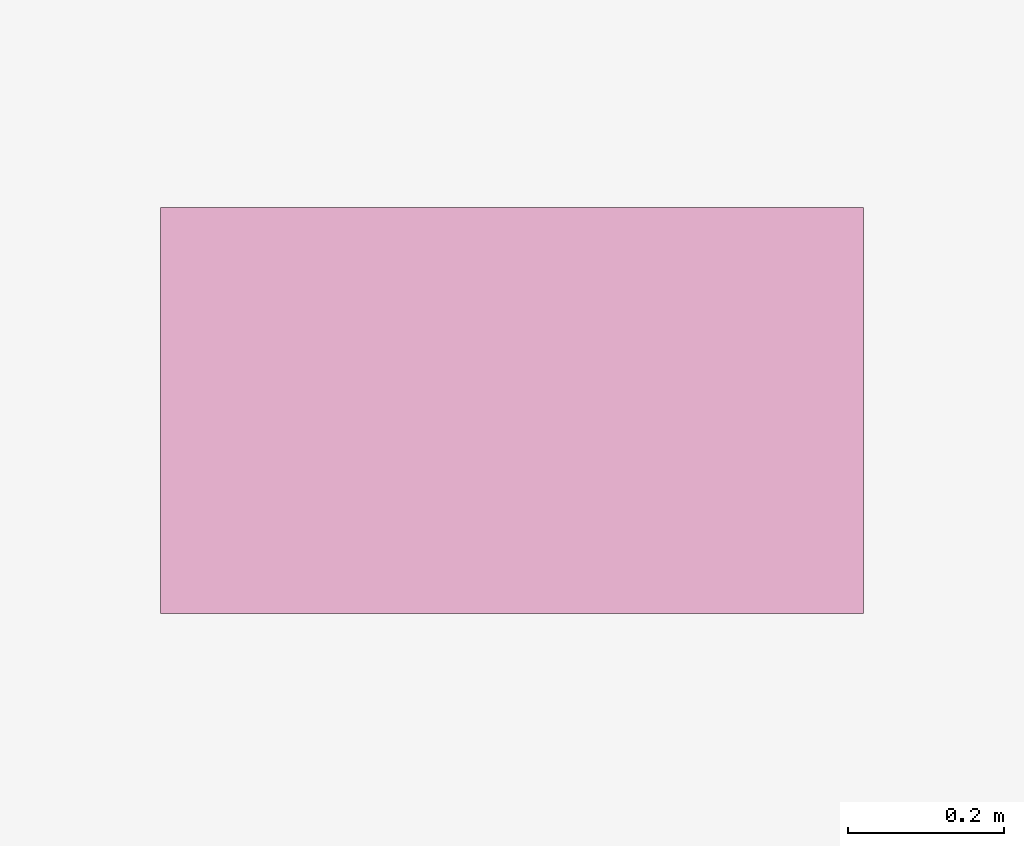
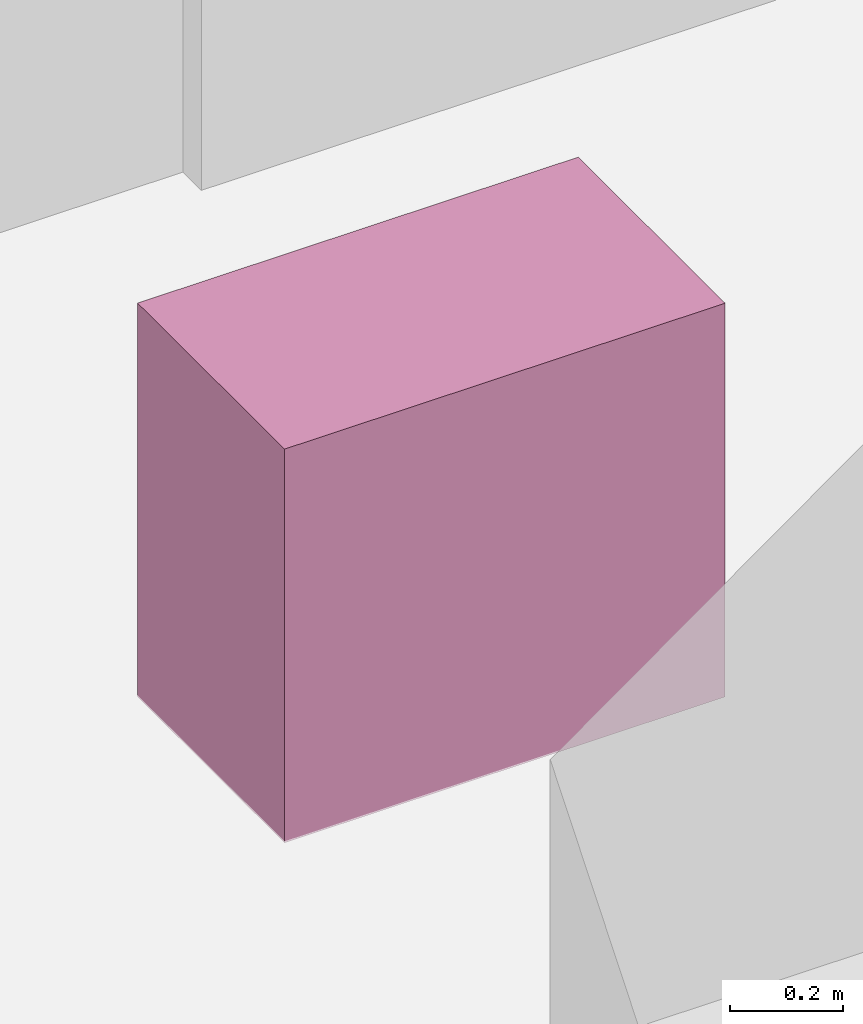
# One storey, part 31 of 31: 1 furnishing.
"""IFC4 building model written with IfcOpenShell, lengths in metres."""

from ifc_helpers import new_model, si_unit, direction, frame, origin, origin_2d, place, context, subcontext, project, spatial, rectangle, extrude, material, type_object, element, save


model = new_model("IFC4")

# Units and contexts
model_context = context("Model", 3, precision=1e-05, world=origin(), true_north=direction((0.0, 1.0)))
body_context = subcontext(model_context, "Body", "Model", "MODEL_VIEW")
ifc_project = project(units=[si_unit("LENGTHUNIT", "METRE"), si_unit("AREAUNIT", "SQUARE_METRE"), si_unit("VOLUMEUNIT", "CUBIC_METRE"), si_unit("PLANEANGLEUNIT", "RADIAN"), si_unit("MASSUNIT", "GRAM", prefix="KILO")], contexts=[model_context])

# Site, building, storey
site_placement = place(None, origin())
site = spatial("IfcSite", under=ifc_project, at=site_placement, CompositionType="ELEMENT")
building_placement = place(site_placement, origin())
building = spatial("IfcBuilding", under=site, at=building_placement, Name="Vorneva Point Tower", CompositionType="ELEMENT")
storey_placement = place(building_placement, frame((0.0, 0.0, 266.199951171875)))
storey = spatial("IfcBuildingStorey", under=building, at=storey_placement, Name="L72", CompositionType="ELEMENT", Elevation=266.199951171875)

# Furnishing
ifc_material = material(Name="Vitreous china and granite top", Category="masonry")
furniture_type = type_object("IfcFurnitureType", Name="FUR-VAN-900", AssemblyPlace="NOTDEFINED", PredefinedType="NOTDEFINED", material=ifc_material)
furnishing_placement = place(storey_placement, frame((35.425048828125, 32.1201171875, -0.0048828125), z_axis=(0.0, 0.0, 1.0), x_axis=(1.0, 0.0, 0.0)))
element("IfcFurnishingElement", 1, at=furnishing_placement, inside=storey, type_object=furniture_type, Name="L72 Accessible WC Vanity Unit", ObjectType="L72 Accessible WC Vanity Unit", context=body_context, shape_type="SweptSolid", body=[
    extrude(rectangle(XDim=0.89990234375, YDim=0.52001953125, at=origin_2d()), origin(), (0.0, 0.0, 1.0), 0.85009765625),
])

save(model, "model.ifc")
